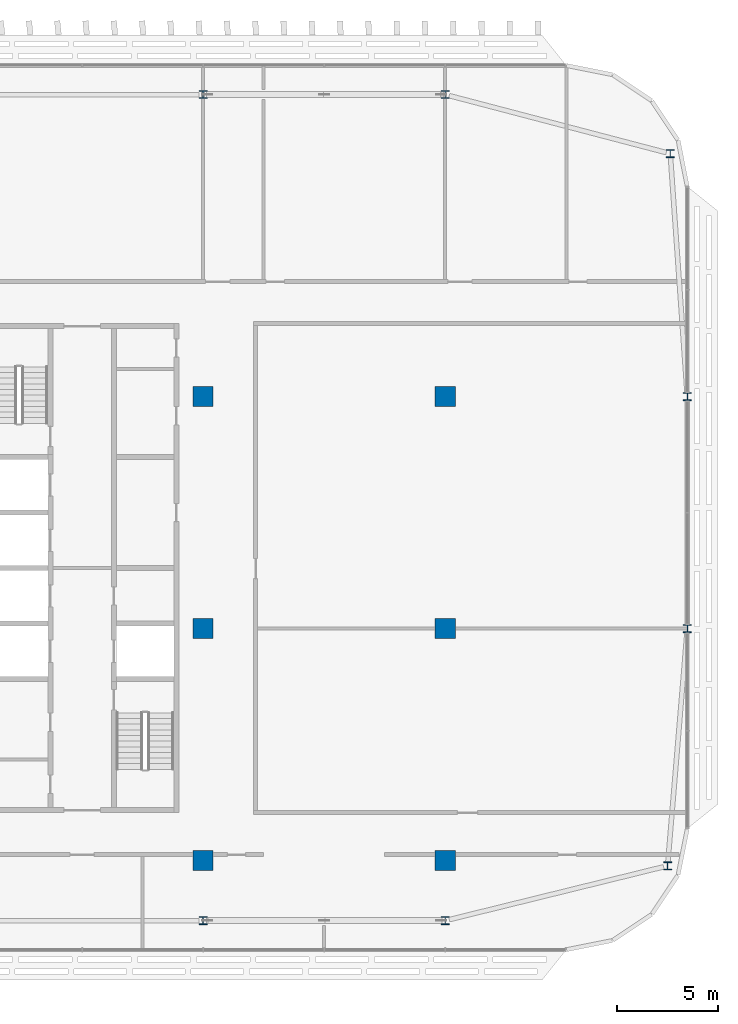
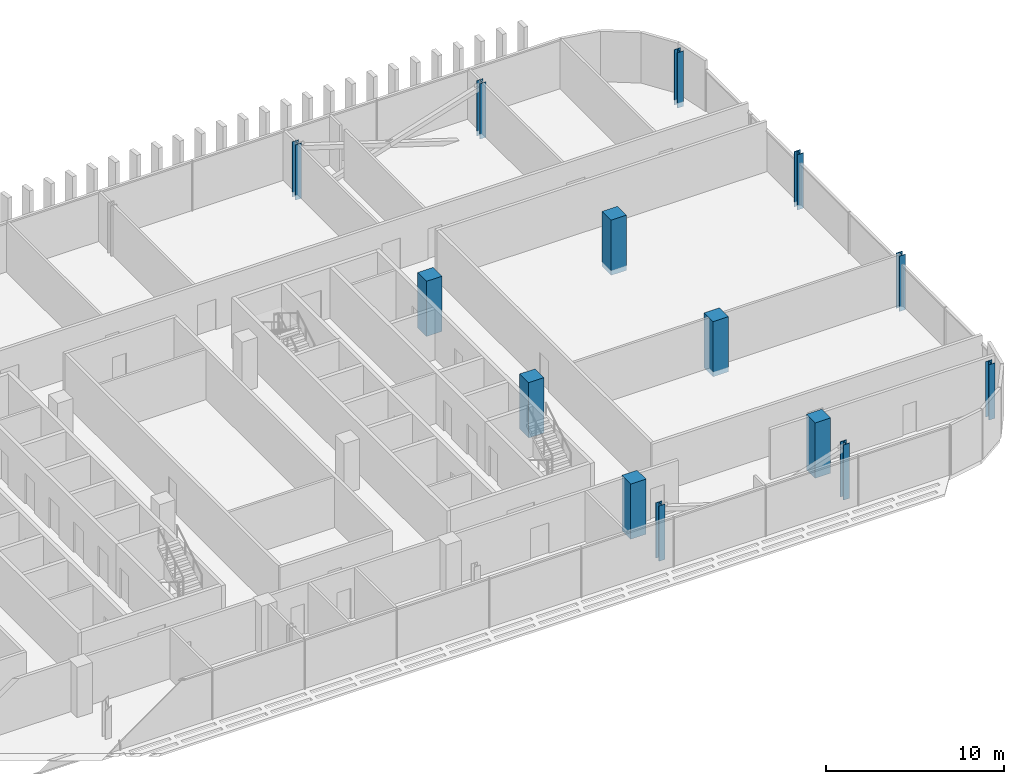
# One storey, part 4 of 32: 14 columns.
"""IFC4 building model written with IfcOpenShell, lengths in metres."""

from ifc_helpers import new_model, si_unit, direction, frame, origin, origin_2d, place, context, subcontext, project, spatial, rectangle, i_section, extrude, material, material_profile, profile_set, type_object, element, save


model = new_model("IFC4")

# Units and contexts
model_context = context("Model", 3, precision=1e-05, world=origin(), true_north=direction((0.0, 1.0)))
body_context = subcontext(model_context, "Body", "Model", "MODEL_VIEW")
ifc_project = project(units=[si_unit("LENGTHUNIT", "METRE"), si_unit("AREAUNIT", "SQUARE_METRE"), si_unit("VOLUMEUNIT", "CUBIC_METRE"), si_unit("PLANEANGLEUNIT", "RADIAN"), si_unit("MASSUNIT", "GRAM", prefix="KILO")], contexts=[model_context])

# Site, building, storey
site_placement = place(None, origin())
site = spatial("IfcSite", under=ifc_project, at=site_placement, CompositionType="ELEMENT")
building_placement = place(site_placement, origin())
building = spatial("IfcBuilding", under=site, at=building_placement, Name="Mahtab Terrace Research Tower", CompositionType="ELEMENT")
storey_placement = place(building_placement, frame((0.0, 0.0, 240.0)))
storey = spatial("IfcBuildingStorey", under=building, at=storey_placement, Name="L58", CompositionType="ELEMENT", Elevation=240.0)

# Columns
ifc_material_1 = material(Name="Concrete C70/85", Category="concrete")
ifc_material_profile_1 = material_profile(ifc_material_1, rectangle(XDim=1.0, YDim=1.0, at=origin_2d()), Name="RC column 1000x1000")
ifc_profile_set_1 = profile_set([ifc_material_profile_1], Name="Concrete C70/85")
column_type_1 = type_object("IfcColumnType", Name="RC column 1000x1000", PredefinedType="COLUMN", material=ifc_profile_set_1)
for number, where, z_axis, x_axis, name in (
    (1, (30.0, -11.5, -0.340087890625), (0.0, 0.0, 1.0), (1.0, 0.0, 0.0), "Column RC-7A L58"),
    (2, (30.0, 0.0, -0.340087890625), (0.0, 0.0, 1.0), (1.0, 0.0, 0.0), "Column RC-7B L58"),
    (3, (30.0, 11.5, -0.340087890625), (0.0, 0.0, 1.0), (1.0, 0.0, 0.0), "Column RC-7C L58"),
    (4, (42.0, -11.5, -0.340087890625), (0.0, 0.0, 1.0), (1.0, 0.0, 0.0), "Column RC-8A L58"),
    (5, (42.0, 0.0, -0.340087890625), (0.0, 0.0, 1.0), (1.0, 0.0, 0.0), "Column RC-8B L58"),
    (6, (42.0, 11.5, -0.340087890625), (0.0, 0.0, 1.0), (1.0, 0.0, 0.0), "Column RC-8C L58"),
):
    element("IfcColumn", number, at=place(storey_placement, frame(where, z_axis=z_axis, x_axis=x_axis)), inside=storey, type_object=column_type_1, Name=name, PredefinedType="COLUMN", context=body_context, shape_type="SweptSolid", body=[
        extrude(rectangle(XDim=1.0, YDim=1.0, at=origin_2d()), origin(), (0.0, 0.0, 1.0), 3.800048828125),
    ])
ifc_material_2 = material(Name="Steel ASTM A992 Gr 50", Category="steel")
ifc_material_profile_2 = material_profile(ifc_material_2, i_section(OverallWidth=0.398681640625, OverallDepth=0.385986328125, WebThickness=0.02099609375, FlangeThickness=0.033203125, at=origin_2d()), Name="W14X176")
ifc_profile_set_2 = profile_set([ifc_material_profile_2], Name="Steel ASTM A992 Gr 50")
column_type_2 = type_object("IfcColumnType", Name="W14x176 column CS14176", PredefinedType="COLUMN", material=ifc_profile_set_2)
for number, where, z_axis, x_axis, name in (
    (7, (53.154052734375, 23.5458984375, -0.340087890625), (0.0, 0.0, 1.0), (1.0, 0.0, 0.0), "Column SC-052 L58"),
    (8, (42.0, 26.472900390625, -0.340087890625), (0.0, 0.0, 1.0), (1.0, 0.0, 0.0), "Column SC-053 L58"),
    (9, (30.0, 26.472900390625, -0.340087890625), (0.0, 0.0, 1.0), (1.0, 0.0, 0.0), "Column SC-054 L58"),
    (10, (30.0, -14.472900390625, -0.340087890625), (0.0, 0.0, 1.0), (1.0, 0.0, 0.0), "Column SC-067 L58"),
    (11, (42.0, -14.472900390625, -0.340087890625), (0.0, 0.0, 1.0), (1.0, 0.0, 0.0), "Column SC-068 L58"),
    (12, (53.02099609375, -11.758056640625, -0.340087890625), (0.0, 0.0, 1.0), (1.0, 0.0, 0.0), "Column SC-069 L58"),
    (13, (54.0, 0.0, -0.340087890625), (0.0, 0.0, 1.0), (1.0, 0.0, 0.0), "Column SC-028 L58"),
    (14, (54.0, 11.5, -0.340087890625), (0.0, 0.0, 1.0), (1.0, 0.0, 0.0), "Column SC-029 L58"),
):
    element("IfcColumn", number, at=place(storey_placement, frame(where, z_axis=z_axis, x_axis=x_axis)), inside=storey, type_object=column_type_2, Name=name, PredefinedType="COLUMN", context=body_context, shape_type="SweptSolid", body=[
        extrude(i_section(OverallWidth=0.398681640625, OverallDepth=0.385986328125, WebThickness=0.02099609375, FlangeThickness=0.033203125, at=origin_2d()), origin(), (0.0, 0.0, 1.0), 3.800048828125),
    ])

save(model, "model.ifc")
